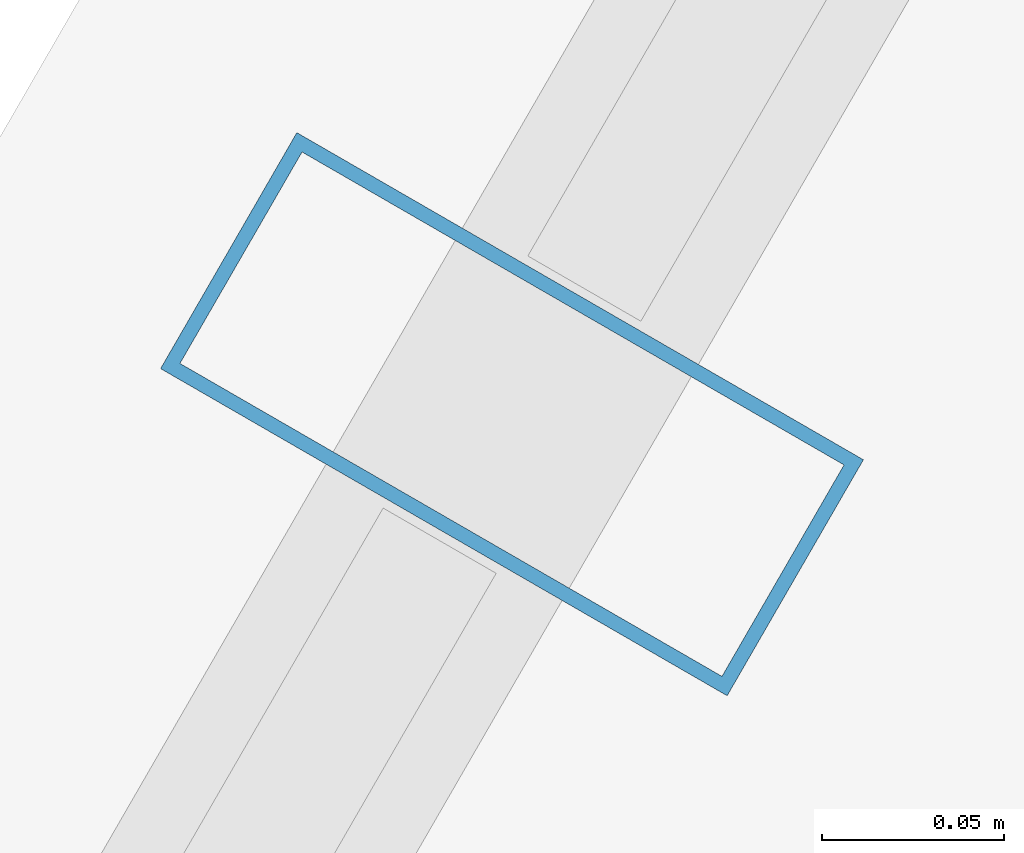
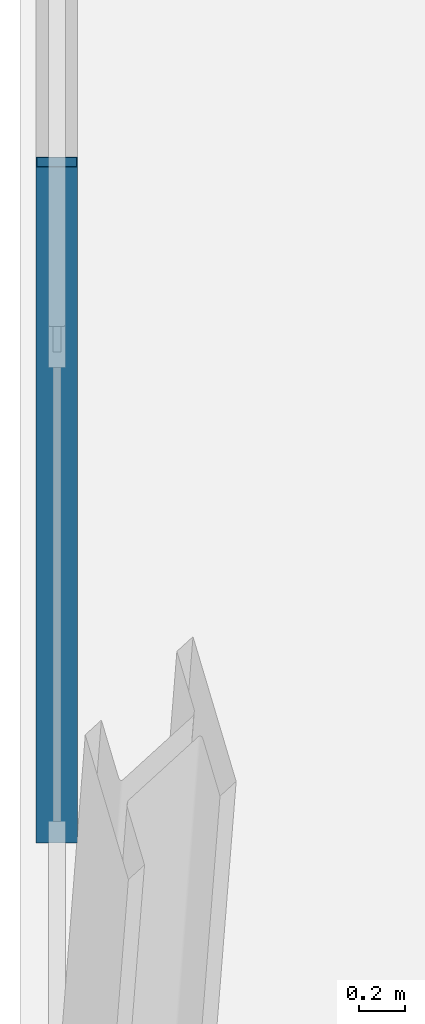
# One storey, part 14 of 32: 1 member, 1 element without a shape of its own.
"""IFC4 building model written with IfcOpenShell, lengths in metres."""

from ifc_helpers import new_model, si_unit, direction, frame, origin, origin_2d, place, context, subcontext, project, spatial, hollow_rectangle, extrude, material, layer, layer_set, material_profile, profile_set, type_object, element, aggregate, save


model = new_model("IFC4")

# Units and contexts
model_context = context("Model", 3, precision=1e-05, world=origin(), true_north=direction((0.0, 1.0)))
body_context = subcontext(model_context, "Body", "Model", "MODEL_VIEW")
ifc_project = project(units=[si_unit("LENGTHUNIT", "METRE"), si_unit("AREAUNIT", "SQUARE_METRE"), si_unit("VOLUMEUNIT", "CUBIC_METRE"), si_unit("PLANEANGLEUNIT", "RADIAN"), si_unit("MASSUNIT", "GRAM", prefix="KILO")], contexts=[model_context])

# Site, building, storey
site_placement = place(None, origin())
site = spatial("IfcSite", under=ifc_project, at=site_placement, CompositionType="ELEMENT")
building_placement = place(site_placement, origin())
building = spatial("IfcBuilding", under=site, at=building_placement, Name="Ndaravel Arena Tower", CompositionType="ELEMENT")
storey_placement = place(building_placement, frame((0.0, 0.0, 77.800048828125)))
storey = spatial("IfcBuildingStorey", under=building, at=storey_placement, Name="L17", CompositionType="ELEMENT", Elevation=77.800048828125)

# Curtain wall, member
ifc_material_1 = material(Name="Aluminium", Category="aluminium")
ifc_layer = layer(ifc_material_1, 0.179931640625)
ifc_layer_set = layer_set([ifc_layer], Name="Aluminium")
curtain_wall_type = type_object("IfcCurtainWallType", Name="CW-SYS-03", PredefinedType="NOTDEFINED", material=ifc_layer_set)
curtain_wall_placement = place(storey_placement, origin())
curtain_wall = element("IfcCurtainWall", 1, at=curtain_wall_placement, inside=storey, type_object=curtain_wall_type, Name="L17 Faceted Crystal Curtain Wall CW-L17-E05", PredefinedType="NOTDEFINED")
ifc_material_2 = material(Name="Aluminium", Category="aluminium")
ifc_material_profile = material_profile(ifc_material_2, hollow_rectangle(XDim=0.074951171875, YDim=0.179931640625, WallThickness=0.00390625, at=origin_2d()), Name="CW MULLION 75x180x4")
ifc_profile_set = profile_set([ifc_material_profile], Name="Aluminium")
member_type = type_object("IfcMemberType", Name="MEM-CW-MUL180", PredefinedType="MULLION", material=ifc_profile_set)
member_placement = place(storey_placement, frame((27.64990234375, 33.977783203125, 0.0), z_axis=(0.0, 0.0, 1.0), x_axis=(-0.5, -0.866025403784, 0.0)))
member = element("IfcMember", 2, at=member_placement, type_object=member_type, Name="CW-L17-E05 Mullion 03", PredefinedType="MULLION", context=body_context, shape_type="SweptSolid", body=[
    extrude(hollow_rectangle(XDim=0.074951171875, YDim=0.179931640625, WallThickness=0.00390625, at=origin_2d()), origin(), (0.0, 0.0, 1.0), 3.579833984375),
])
aggregate(curtain_wall, [member])

save(model, "model.ifc")
